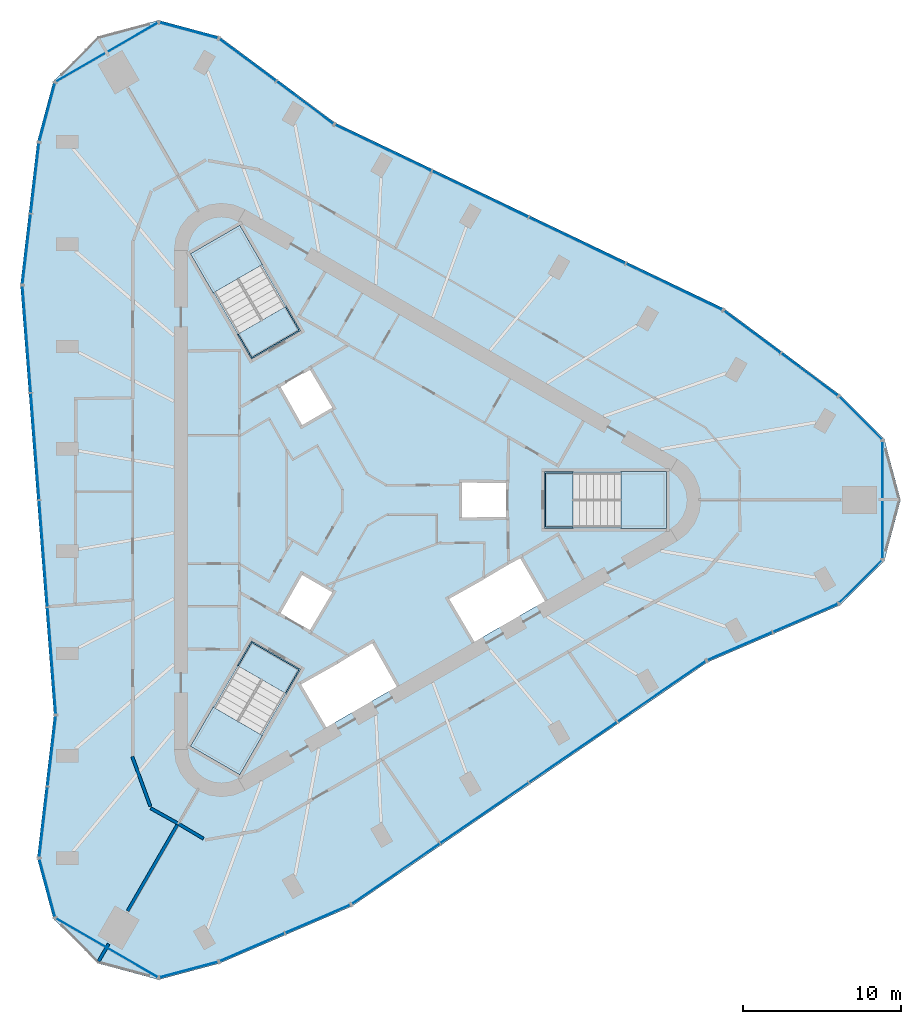
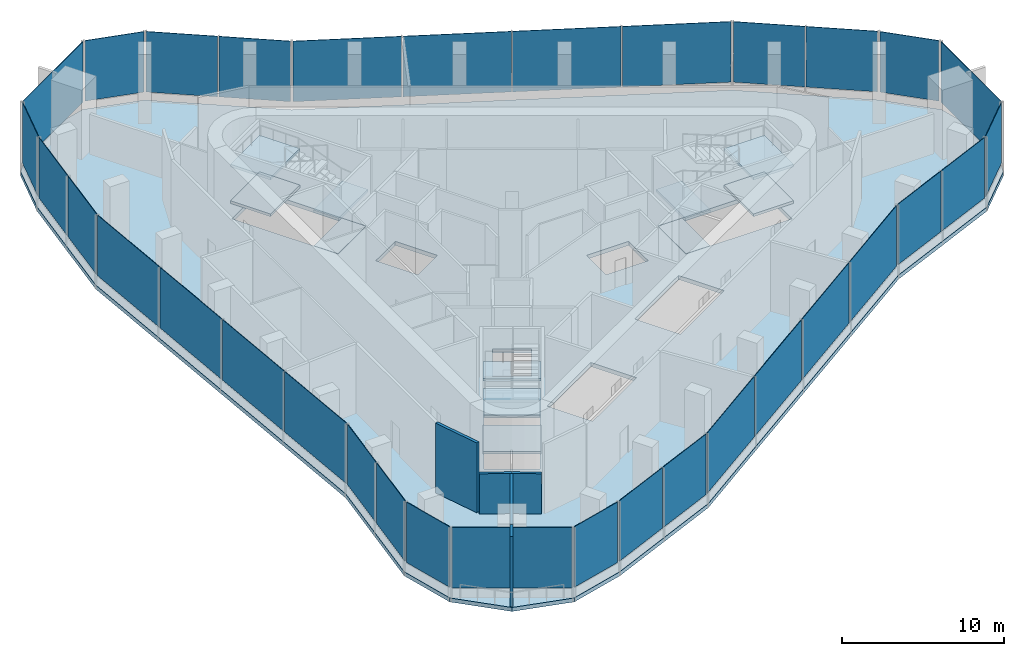
# One storey, part 6 of 13: 33 plates, 13 slabs, 5 walls, 21 elements without a shape of their own.
"""IFC4 building model written with IfcOpenShell, lengths in metres."""

import ifcopenshell
import ifcopenshell.guid

model = None  # the IFC model being written
_history = None  # IfcOwnerHistory: only IFC2X3 demands one
_inside = {}  # id of a spatial element -> (the spatial element, [elements in it])
_under = {}  # id of a project, library or spatial element -> (it, [spatial elements below it])
_declared = {}  # id of a project -> (the project, [libraries it declares])
_typed = {}  # id of a type object -> (the type object, [elements of that type])
_made_of = {}  # id of a material, layer set ... -> (it, [elements and type objects made of it])


def new_model(schema):
    """Start an empty IFC model of exactly this schema.

    Asked for "IFC4X3", IfcOpenShell would pick the latest addendum, in which some entities
    have other attributes; the version numbers below select the first issue.
    IFC2X3 requires an IfcOwnerHistory on every rooted entity: one is made here for all.
    """
    global model, _history
    if schema == "IFC4X3":
        model = ifcopenshell.file(schema_version=(4, 3, 0, 0))
    else:
        model = ifcopenshell.file(schema=schema)
    _inside.clear()
    _under.clear()
    _declared.clear()
    _typed.clear()
    _made_of.clear()
    _history = None
    if model.schema == "IFC2X3":
        org = make("IfcOrganization", Name="unknown")
        user = make(
            "IfcPersonAndOrganization",
            ThePerson=make("IfcPerson", FamilyName="unknown"),
            TheOrganization=org,
        )
        app = make(
            "IfcApplication",
            ApplicationDeveloper=org,
            Version="unknown",
            ApplicationFullName="unknown",
            ApplicationIdentifier="unknown",
        )
        _history = make(
            "IfcOwnerHistory",
            OwningUser=user,
            OwningApplication=app,
            ChangeAction="ADDED",
            CreationDate=0,
        )
    return model


def make(cls, **values):
    """One entity of the class cls with the attributes given. An attribute that is None is left unset."""
    return model.create_entity(
        cls, **{name: value for name, value in values.items() if value is not None}
    )


def rooted(cls, **values):
    """An entity with a GlobalId (a new one), such as an element, a storey or a relation."""
    return make(cls, GlobalId=ifcopenshell.guid.new(), OwnerHistory=_history, **values)


def si_unit(unit_type, name, prefix=None):
    """IfcSIUnit, for example si_unit("LENGTHUNIT", "METRE", prefix="MILLI")."""
    return make("IfcSIUnit", UnitType=unit_type, Prefix=prefix, Name=name)


def assignment(units):
    """IfcUnitAssignment: the units of a project."""
    return None if units is None else make("IfcUnitAssignment", Units=units)


def point(xyz):
    """IfcCartesianPoint."""
    return None if xyz is None else make("IfcCartesianPoint", Coordinates=xyz)


def direction(xyz):
    """IfcDirection."""
    return None if xyz is None else make("IfcDirection", DirectionRatios=xyz)


def frame(location, z_axis=None, x_axis=None):
    """IfcAxis2Placement3D, a coordinate frame: its origin and axes. An axis left out is left unset."""
    return make(
        "IfcAxis2Placement3D",
        Location=point(location),
        Axis=direction(z_axis),
        RefDirection=direction(x_axis),
    )


def frame_2d(location, x_axis=None):
    """IfcAxis2Placement2D, a coordinate frame in the plane: its origin and x axis."""
    return make(
        "IfcAxis2Placement2D", Location=point(location), RefDirection=direction(x_axis)
    )


def origin():
    """The frame at (0, 0, 0) with its axes left unset."""
    return frame((0.0, 0.0, 0.0))


def origin_2d():
    """The frame at (0, 0) in the plane with its x axis left unset."""
    return frame_2d((0.0, 0.0))


def place(relative_to, where):
    """IfcLocalPlacement: puts the frame where relative to a parent placement (None: the world)."""
    return make(
        "IfcLocalPlacement", PlacementRelTo=relative_to, RelativePlacement=where
    )


def context(
    kind, dimensions, precision=None, world=None, true_north=None, identifier=None
):
    """IfcGeometricRepresentationContext, for example the 3D "Model" context."""
    return make(
        "IfcGeometricRepresentationContext",
        ContextIdentifier=identifier,
        ContextType=kind,
        CoordinateSpaceDimension=dimensions,
        Precision=precision,
        WorldCoordinateSystem=world,
        TrueNorth=true_north,
    )


def subcontext(parent, identifier, kind, view, scale=None):
    """IfcGeometricRepresentationSubContext, for example "Body" below "Model"."""
    return make(
        "IfcGeometricRepresentationSubContext",
        ContextIdentifier=identifier,
        ContextType=kind,
        ParentContext=parent,
        TargetScale=scale,
        TargetView=view,
    )


def project(units=None, contexts=None):
    """IfcProject with its units and contexts."""
    return rooted(
        "IfcProject",
        Name="project",
        RepresentationContexts=contexts,
        UnitsInContext=assignment(units),
    )


def spatial(cls, under=None, at=None, **own):
    """A site, building, storey or space (cls), placed at a placement, below another one or the project."""
    s = rooted(cls, ObjectPlacement=at, **own)
    if under is not None:
        _under.setdefault(under.id(), (under, []))[1].append(s)
    return s


def polyline(points):
    """IfcPolyline through the points."""
    return make("IfcPolyline", Points=[point(p) for p in points])


def profile(cls, at=None, kind="AREA", **sizes):
    """A parametric profile (cls). Its sizes go by their IFC names, for example OverallWidth=200.0."""
    return make(cls, ProfileType=kind, Position=at, **sizes)


def rectangle(**sizes):
    """IfcRectangleProfileDef."""
    return profile("IfcRectangleProfileDef", **sizes)


def outline(outer, holes=None, kind="AREA"):
    """IfcArbitraryClosedProfileDef: a profile drawn as a closed curve; with holes, ...WithVoids."""
    if holes is None:
        return make("IfcArbitraryClosedProfileDef", ProfileType=kind, OuterCurve=outer)
    return make(
        "IfcArbitraryProfileDefWithVoids",
        ProfileType=kind,
        OuterCurve=outer,
        InnerCurves=holes,
    )


def extrude(swept, where, along, depth):
    """IfcExtrudedAreaSolid: the profile swept, set in the frame where, extruded along a direction by depth."""
    return make(
        "IfcExtrudedAreaSolid",
        SweptArea=swept,
        Position=where,
        ExtrudedDirection=direction(along),
        Depth=depth,
    )


def shape(context_of_items, identifier, shape_type, items):
    """IfcShapeRepresentation: the items that make up one representation, for example the "Body"."""
    return make(
        "IfcShapeRepresentation",
        ContextOfItems=context_of_items,
        RepresentationIdentifier=identifier,
        RepresentationType=shape_type,
        Items=items,
    )


def material(Name=None, Category=None):
    """IfcMaterial."""
    return make("IfcMaterial", Name=Name, Category=Category)


def layer(
    of_material, thickness, ventilated=None, Name=None, Category=None, Priority=None
):
    """IfcMaterialLayer: one layer of a wall or slab, of a material (None: an air gap)."""
    return make(
        "IfcMaterialLayer",
        Material=of_material,
        LayerThickness=thickness,
        IsVentilated=ventilated,
        Name=Name,
        Category=Category,
        Priority=Priority,
    )


def layer_set(layers, Name=None):
    """IfcMaterialLayerSet."""
    return make("IfcMaterialLayerSet", MaterialLayers=layers, LayerSetName=Name)


def made_of(thing, what):
    """Note that an element or type object is made of a material, layer set ...; save() writes the relation."""
    if what is not None:
        _made_of.setdefault(what.id(), (what, []))[1].append(thing)
    return thing


def type_object(cls, material=None, **own):
    """A type object (cls), such as IfcWallType, which elements share."""
    return made_of(rooted(cls, **own), material)


def element(
    cls,
    number,
    at=None,
    inside=None,
    cuts=None,
    type_object=None,
    material=None,
    context=None,
    identifier="Body",
    shape_type=None,
    held_by="IfcProductDefinitionShape",
    body=None,
    shapes=None,
    **own,
):
    """One element of the class cls, such as IfcWall. Its Tag is "e" and its number.

    at: its placement. inside: the storey or other place that contains it. cuts: it is an
    opening in that element (IfcRelVoidsElement). A single representation is given by context,
    identifier, shape_type and body (its items); several are given by shapes. held_by: the class
    of the entity that holds the representations. save() writes the other relations.
    """
    e = rooted(cls, Tag="e%d" % number, ObjectPlacement=at, **own)
    if body is not None:
        shapes = [shape(context, identifier, shape_type, body)]
    if shapes is not None:
        e.Representation = make(held_by, Representations=shapes)
    if inside is not None:
        _inside.setdefault(inside.id(), (inside, []))[1].append(e)
    if cuts is not None:
        rooted(
            "IfcRelVoidsElement", RelatingBuildingElement=cuts, RelatedOpeningElement=e
        )
    if type_object is not None:
        _typed.setdefault(type_object.id(), (type_object, []))[1].append(e)
    return made_of(e, material)


def aggregate(whole, parts):
    """IfcRelAggregates: a whole, such as a stair, and the parts it consists of."""
    return rooted("IfcRelAggregates", RelatingObject=whole, RelatedObjects=parts)


def save(model, path):
    """Write the relations noted so far, then the file.

    IfcRelAggregates (storeys below a building ...), IfcRelContainedInSpatialStructure (elements
    in a storey), IfcRelDefinesByType, IfcRelAssociatesMaterial and IfcRelDeclares: one each for
    every whole, place, type object, material and project.
    """
    for whole, parts in _under.values():
        aggregate(whole, parts)
    for where, things in _inside.values():
        rooted(
            "IfcRelContainedInSpatialStructure",
            RelatedElements=things,
            RelatingStructure=where,
        )
    for kind, things in _typed.values():
        rooted("IfcRelDefinesByType", RelatedObjects=things, RelatingType=kind)
    for what, things in _made_of.values():
        rooted("IfcRelAssociatesMaterial", RelatedObjects=things, RelatingMaterial=what)
    for by, libraries in _declared.values():
        rooted("IfcRelDeclares", RelatingContext=by, RelatedDefinitions=libraries)
    model.write(path)


model = new_model("IFC4")

# Units and contexts
model_context = context("Model", 3, precision=1e-05, world=origin(), true_north=direction((0.0, 1.0)))
body_context = subcontext(model_context, "Body", "Model", "MODEL_VIEW")
ifc_project = project(units=[si_unit("LENGTHUNIT", "METRE"), si_unit("AREAUNIT", "SQUARE_METRE"), si_unit("VOLUMEUNIT", "CUBIC_METRE"), si_unit("PLANEANGLEUNIT", "RADIAN"), si_unit("MASSUNIT", "GRAM", prefix="KILO")], contexts=[model_context])

# Site, building, storey
site_placement = place(None, origin())
site = spatial("IfcSite", under=ifc_project, at=site_placement, CompositionType="ELEMENT")
building_placement = place(site_placement, origin())
building = spatial("IfcBuilding", under=site, at=building_placement, Name="Tanit Gate Tower", CompositionType="ELEMENT")
storey_placement = place(building_placement, frame((0.0, 0.0, 404.800048828125)))
storey = spatial("IfcBuildingStorey", under=building, at=storey_placement, Name="L92", CompositionType="ELEMENT", Elevation=404.800048828125)

# Curtain wall, plates
ifc_material_1 = material(Name="Aluminium bronze anodised and glass", Category="aluminium")
curtain_wall_type = type_object("IfcCurtainWallType", Name="Curtain wall observation", PredefinedType="NOTDEFINED", material=ifc_material_1)
curtain_wall_1_placement = place(storey_placement, origin())
curtain_wall_1 = element("IfcCurtainWall", 1, at=curtain_wall_1_placement, inside=storey, type_object=curtain_wall_type, Name="Curtain wall L92 NE1", PredefinedType="NOTDEFINED")
ifc_material_2 = material(Name="Glass tinted laminated safety", Category="glass")
ifc_layer_1 = layer(ifc_material_2, 0.0400390625)
ifc_layer_set_1 = layer_set([ifc_layer_1], Name="Glass panel 40 observation")
plate_type = type_object("IfcPlateType", Name="Glass panel 40 observation", PredefinedType="CURTAIN_PANEL", material=ifc_layer_set_1)
plate_1_placement = place(storey_placement, frame((28.042236328125, 7.9228515625, 0.69970703125), z_axis=(0.0, 0.0, 1.0), x_axis=(-0.801987717098, 0.59734052401, 0.0)))
plate_1 = element("IfcPlate", 2, at=plate_1_placement, type_object=plate_type, Name="Glass panel L92 NE1.1", PredefinedType="CURTAIN_PANEL", context=body_context, shape_type="SweptSolid", body=[
    extrude(rectangle(XDim=4.42529296875, YDim=0.0400390625, at=origin_2d()), origin(), (0.0, 0.0, 1.0), 4.550048828125),
])
plate_2_placement = place(storey_placement, frame((24.428955078125, 10.614013671875, 0.69970703125), z_axis=(0.0, 0.0, 1.0), x_axis=(-0.801987717098, 0.59734052401, 0.0)))
plate_2 = element("IfcPlate", 3, at=plate_2_placement, type_object=plate_type, Name="Glass panel L92 NE1.2", PredefinedType="CURTAIN_PANEL", context=body_context, shape_type="SweptSolid", body=[
    extrude(rectangle(XDim=4.425537109375, YDim=0.0400390625, at=origin_2d()), origin(), (0.0, 0.0, 1.0), 4.550048828125),
])
aggregate(curtain_wall_1, [plate_1, plate_2])

curtain_wall_2_placement = place(storey_placement, origin())
curtain_wall_2 = element("IfcCurtainWall", 4, at=curtain_wall_2_placement, inside=storey, type_object=curtain_wall_type, Name="Curtain wall L92 NE2", PredefinedType="NOTDEFINED")
plate_3_placement = place(storey_placement, frame((19.49169921875, 13.4638671875, 0.69970703125), z_axis=(0.0, 0.0, 1.0), x_axis=(-0.902317145415, 0.431072811819, 0.0)))
plate_3 = element("IfcPlate", 5, at=plate_3_placement, type_object=plate_type, Name="Glass panel L92 NE2.1", PredefinedType="CURTAIN_PANEL", context=body_context, shape_type="SweptSolid", body=[
    extrude(rectangle(XDim=6.707763671875, YDim=0.0400390625, at=origin_2d()), origin(), (0.0, 0.0, 1.0), 4.550048828125),
])
plate_4_placement = place(storey_placement, frame((13.3671875, 16.389892578125, 0.69970703125), z_axis=(0.0, 0.0, 1.0), x_axis=(-0.902317145415, 0.431072811819, 0.0)))
plate_4 = element("IfcPlate", 6, at=plate_4_placement, type_object=plate_type, Name="Glass panel L92 NE2.2", PredefinedType="CURTAIN_PANEL", context=body_context, shape_type="SweptSolid", body=[
    extrude(rectangle(XDim=6.707763671875, YDim=0.0400390625, at=origin_2d()), origin(), (0.0, 0.0, 1.0), 4.550048828125),
])
plate_5_placement = place(storey_placement, frame((7.242431640625, 19.31591796875, 0.69970703125), z_axis=(0.0, 0.0, 1.0), x_axis=(-0.902317145415, 0.431072811819, 0.0)))
plate_5 = element("IfcPlate", 7, at=plate_5_placement, type_object=plate_type, Name="Glass panel L92 NE2.3", PredefinedType="CURTAIN_PANEL", context=body_context, shape_type="SweptSolid", body=[
    extrude(rectangle(XDim=6.707763671875, YDim=0.0400390625, at=origin_2d()), origin(), (0.0, 0.0, 1.0), 4.550048828125),
])
plate_6_placement = place(storey_placement, frame((1.11767578125, 22.241943359375, 0.69970703125), z_axis=(0.0, 0.0, 1.0), x_axis=(-0.902317145415, 0.431072811819, 0.0)))
plate_6 = element("IfcPlate", 8, at=plate_6_placement, type_object=plate_type, Name="Glass panel L92 NE2.4", PredefinedType="CURTAIN_PANEL", context=body_context, shape_type="SweptSolid", body=[
    extrude(rectangle(XDim=6.707763671875, YDim=0.0400390625, at=origin_2d()), origin(), (0.0, 0.0, 1.0), 4.550048828125),
])
aggregate(curtain_wall_2, [plate_3, plate_4, plate_5, plate_6])

curtain_wall_3_placement = place(storey_placement, origin())
curtain_wall_3 = element("IfcCurtainWall", 9, at=curtain_wall_3_placement, inside=storey, type_object=curtain_wall_type, Name="Curtain wall L92 NE3", PredefinedType="NOTDEFINED")
plate_7_placement = place(storey_placement, frame((-3.8212890625, 25.093017578125, 0.69970703125), z_axis=(0.0, 0.0, 1.0), x_axis=(-0.801987717098, 0.59734052401, 0.0)))
plate_7 = element("IfcPlate", 10, at=plate_7_placement, type_object=plate_type, Name="Glass panel L92 NE3.1", PredefinedType="CURTAIN_PANEL", context=body_context, shape_type="SweptSolid", body=[
    extrude(rectangle(XDim=4.429931640625, YDim=0.0400390625, at=origin_2d()), origin(), (0.0, 0.0, 1.0), 4.550048828125),
])
plate_8_placement = place(storey_placement, frame((-7.438232421875, 27.787109375, 0.69970703125), z_axis=(0.0, 0.0, 1.0), x_axis=(-0.801987717098, 0.59734052401, 0.0)))
plate_8 = element("IfcPlate", 11, at=plate_8_placement, type_object=plate_type, Name="Glass panel L92 NE3.2", PredefinedType="CURTAIN_PANEL", context=body_context, shape_type="SweptSolid", body=[
    extrude(rectangle(XDim=4.429931640625, YDim=0.0400390625, at=origin_2d()), origin(), (0.0, 0.0, 1.0), 4.550048828125),
])
aggregate(curtain_wall_3, [plate_7, plate_8])

# Curtain wall, plate
curtain_wall_4_placement = place(storey_placement, origin())
curtain_wall_4 = element("IfcCurtainWall", 12, at=curtain_wall_4_placement, inside=storey, type_object=curtain_wall_type, Name="Curtain wall L92 NW.arc1", PredefinedType="NOTDEFINED")
plate_9_placement = place(storey_placement, frame((-11.17041015625, 29.664794921875, 0.69970703125), z_axis=(0.0, 0.0, 1.0), x_axis=(-0.965925826289, 0.258819045103, 0.0)))
plate_9 = element("IfcPlate", 13, at=plate_9_placement, type_object=plate_type, Name="Glass panel L92 NW.arc1.1", PredefinedType="CURTAIN_PANEL", context=body_context, shape_type="SweptSolid", body=[
    extrude(rectangle(XDim=3.75634765625, YDim=0.0400390625, at=origin_2d()), origin(), (0.0, 0.0, 1.0), 4.550048828125),
])
aggregate(curtain_wall_4, [plate_9])

curtain_wall_5_placement = place(storey_placement, origin())
curtain_wall_5 = element("IfcCurtainWall", 14, at=curtain_wall_5_placement, inside=storey, type_object=curtain_wall_type, Name="Curtain wall L92 NW.arc2", PredefinedType="NOTDEFINED")
plate_10_placement = place(storey_placement, frame((-16.330078125, 28.28466796875, 0.69970703125), z_axis=(0.0, 0.0, 1.0), x_axis=(-0.866025403784, -0.5, 0.0)))
plate_10 = element("IfcPlate", 15, at=plate_10_placement, type_object=plate_type, Name="Glass panel L92 NW.arc2.1", PredefinedType="CURTAIN_PANEL", context=body_context, shape_type="SweptSolid", body=[
    extrude(rectangle(XDim=7.387939453125, YDim=0.0400390625, at=origin_2d()), origin(), (0.0, 0.0, 1.0), 4.550048828125),
])
aggregate(curtain_wall_5, [plate_10])

curtain_wall_6_placement = place(storey_placement, origin())
curtain_wall_6 = element("IfcCurtainWall", 16, at=curtain_wall_6_placement, inside=storey, type_object=curtain_wall_type, Name="Curtain wall L92 NW.arc3", PredefinedType="NOTDEFINED")
plate_11_placement = place(storey_placement, frame((-20.107177734375, 24.499267578125, 0.69970703125), z_axis=(0.0, 0.0, 1.0), x_axis=(-0.258819045103, -0.965925826289, 0.0)))
plate_11 = element("IfcPlate", 17, at=plate_11_placement, type_object=plate_type, Name="Glass panel L92 NW.arc3.1", PredefinedType="CURTAIN_PANEL", context=body_context, shape_type="SweptSolid", body=[
    extrude(rectangle(XDim=3.7705078125, YDim=0.0400390625, at=origin_2d()), origin(), (0.0, 0.0, 1.0), 4.550048828125),
])
aggregate(curtain_wall_6, [plate_11])

# Curtain wall, plates
curtain_wall_7_placement = place(storey_placement, origin())
curtain_wall_7 = element("IfcCurtainWall", 18, at=curtain_wall_7_placement, inside=storey, type_object=curtain_wall_type, Name="Curtain wall L92 W1", PredefinedType="NOTDEFINED")
plate_12_placement = place(storey_placement, frame((-20.882568359375, 20.323974609375, 0.69970703125), z_axis=(0.0, 0.0, 1.0), x_axis=(-0.116318209953, -0.993211998535, 0.0)))
plate_12 = element("IfcPlate", 19, at=plate_12_placement, type_object=plate_type, Name="Glass panel L92 W1.1", PredefinedType="CURTAIN_PANEL", context=body_context, shape_type="SweptSolid", body=[
    extrude(rectangle(XDim=4.42529296875, YDim=0.0400390625, at=origin_2d()), origin(), (0.0, 0.0, 1.0), 4.550048828125),
])
plate_13_placement = place(storey_placement, frame((-21.406494140625, 15.84912109375, 0.69970703125), z_axis=(0.0, 0.0, 1.0), x_axis=(-0.116318209953, -0.993211998535, 0.0)))
plate_13 = element("IfcPlate", 20, at=plate_13_placement, type_object=plate_type, Name="Glass panel L92 W1.2", PredefinedType="CURTAIN_PANEL", context=body_context, shape_type="SweptSolid", body=[
    extrude(rectangle(XDim=4.425537109375, YDim=0.0400390625, at=origin_2d()), origin(), (0.0, 0.0, 1.0), 4.550048828125),
])
aggregate(curtain_wall_7, [plate_12, plate_13])

curtain_wall_8_placement = place(storey_placement, origin())
curtain_wall_8 = element("IfcCurtainWall", 21, at=curtain_wall_8_placement, inside=storey, type_object=curtain_wall_type, Name="Curtain wall L92 W2", PredefinedType="NOTDEFINED")
plate_14_placement = place(storey_placement, frame((-21.406005859375, 10.1484375, 0.69970703125), z_axis=(0.0, 0.0, 1.0), x_axis=(0.077838566791, -0.996965976109, 0.0)))
plate_14 = element("IfcPlate", 22, at=plate_14_placement, type_object=plate_type, Name="Glass panel L92 W2.1", PredefinedType="CURTAIN_PANEL", context=body_context, shape_type="SweptSolid", body=[
    extrude(rectangle(XDim=6.707763671875, YDim=0.0400390625, at=origin_2d()), origin(), (0.0, 0.0, 1.0), 4.550048828125),
])
plate_15_placement = place(storey_placement, frame((-20.877685546875, 3.38134765625, 0.69970703125), z_axis=(0.0, 0.0, 1.0), x_axis=(0.077838566791, -0.996965976109, 0.0)))
plate_15 = element("IfcPlate", 23, at=plate_15_placement, type_object=plate_type, Name="Glass panel L92 W2.2", PredefinedType="CURTAIN_PANEL", context=body_context, shape_type="SweptSolid", body=[
    extrude(rectangle(XDim=6.707763671875, YDim=0.0400390625, at=origin_2d()), origin(), (0.0, 0.0, 1.0), 4.550048828125),
])
plate_16_placement = place(storey_placement, frame((-20.349365234375, -3.385986328125, 0.69970703125), z_axis=(0.0, 0.0, 1.0), x_axis=(0.077838566791, -0.996965976109, 0.0)))
plate_16 = element("IfcPlate", 24, at=plate_16_placement, type_object=plate_type, Name="Glass panel L92 W2.3", PredefinedType="CURTAIN_PANEL", context=body_context, shape_type="SweptSolid", body=[
    extrude(rectangle(XDim=6.707763671875, YDim=0.0400390625, at=origin_2d()), origin(), (0.0, 0.0, 1.0), 4.550048828125),
])
plate_17_placement = place(storey_placement, frame((-19.82080078125, -10.153076171875, 0.69970703125), z_axis=(0.0, 0.0, 1.0), x_axis=(0.077838566791, -0.996965976109, 0.0)))
plate_17 = element("IfcPlate", 25, at=plate_17_placement, type_object=plate_type, Name="Glass panel L92 W2.4", PredefinedType="CURTAIN_PANEL", context=body_context, shape_type="SweptSolid", body=[
    extrude(rectangle(XDim=6.707763671875, YDim=0.0400390625, at=origin_2d()), origin(), (0.0, 0.0, 1.0), 4.550048828125),
])
aggregate(curtain_wall_8, [plate_14, plate_15, plate_16, plate_17])

curtain_wall_9_placement = place(storey_placement, origin())
curtain_wall_9 = element("IfcCurtainWall", 26, at=curtain_wall_9_placement, inside=storey, type_object=curtain_wall_type, Name="Curtain wall L92 W3", PredefinedType="NOTDEFINED")
plate_18_placement = place(storey_placement, frame((-19.820556640625, -15.85595703125, 0.69970703125), z_axis=(0.0, 0.0, 1.0), x_axis=(-0.116318209953, -0.993211998535, 0.0)))
plate_18 = element("IfcPlate", 27, at=plate_18_placement, type_object=plate_type, Name="Glass panel L92 W3.1", PredefinedType="CURTAIN_PANEL", context=body_context, shape_type="SweptSolid", body=[
    extrude(rectangle(XDim=4.429931640625, YDim=0.0400390625, at=origin_2d()), origin(), (0.0, 0.0, 1.0), 4.550048828125),
])
plate_19_placement = place(storey_placement, frame((-20.34521484375, -20.335205078125, 0.69970703125), z_axis=(0.0, 0.0, 1.0), x_axis=(-0.116318209953, -0.993211998535, 0.0)))
plate_19 = element("IfcPlate", 28, at=plate_19_placement, type_object=plate_type, Name="Glass panel L92 W3.2", PredefinedType="CURTAIN_PANEL", context=body_context, shape_type="SweptSolid", body=[
    extrude(rectangle(XDim=4.429931640625, YDim=0.0400390625, at=origin_2d()), origin(), (0.0, 0.0, 1.0), 4.550048828125),
])
aggregate(curtain_wall_9, [plate_18, plate_19])

# Curtain wall, plate
curtain_wall_10_placement = place(storey_placement, origin())
curtain_wall_10 = element("IfcCurtainWall", 29, at=curtain_wall_10_placement, inside=storey, type_object=curtain_wall_type, Name="Curtain wall L92 SW.arc1", PredefinedType="NOTDEFINED")
plate_20_placement = place(storey_placement, frame((-20.105224609375, -24.506103515625, 0.69970703125), z_axis=(0.0, 0.0, 1.0), x_axis=(0.258819045103, -0.965925826289, 0.0)))
plate_20 = element("IfcPlate", 30, at=plate_20_placement, type_object=plate_type, Name="Glass panel L92 SW.arc1.1", PredefinedType="CURTAIN_PANEL", context=body_context, shape_type="SweptSolid", body=[
    extrude(rectangle(XDim=3.75634765625, YDim=0.0400390625, at=origin_2d()), origin(), (0.0, 0.0, 1.0), 4.550048828125),
])
aggregate(curtain_wall_10, [plate_20])

curtain_wall_11_placement = place(storey_placement, origin())
curtain_wall_11 = element("IfcCurtainWall", 31, at=curtain_wall_11_placement, inside=storey, type_object=curtain_wall_type, Name="Curtain wall L92 SW.arc2", PredefinedType="NOTDEFINED")
plate_21_placement = place(storey_placement, frame((-16.330078125, -28.28466796875, 0.69970703125), z_axis=(0.0, 0.0, 1.0), x_axis=(0.866025403784, -0.5, 0.0)))
plate_21 = element("IfcPlate", 32, at=plate_21_placement, type_object=plate_type, Name="Glass panel L92 SW.arc2.1", PredefinedType="CURTAIN_PANEL", context=body_context, shape_type="SweptSolid", body=[
    extrude(rectangle(XDim=7.387939453125, YDim=0.0400390625, at=origin_2d()), origin(), (0.0, 0.0, 1.0), 4.550048828125),
])
aggregate(curtain_wall_11, [plate_21])

curtain_wall_12_placement = place(storey_placement, origin())
curtain_wall_12 = element("IfcCurtainWall", 33, at=curtain_wall_12_placement, inside=storey, type_object=curtain_wall_type, Name="Curtain wall L92 SW.arc3", PredefinedType="NOTDEFINED")
plate_22_placement = place(storey_placement, frame((-11.16357421875, -29.6630859375, 0.69970703125), z_axis=(0.0, 0.0, 1.0), x_axis=(0.965925826289, 0.258819045103, 0.0)))
plate_22 = element("IfcPlate", 34, at=plate_22_placement, type_object=plate_type, Name="Glass panel L92 SW.arc3.1", PredefinedType="CURTAIN_PANEL", context=body_context, shape_type="SweptSolid", body=[
    extrude(rectangle(XDim=3.7705078125, YDim=0.0400390625, at=origin_2d()), origin(), (0.0, 0.0, 1.0), 4.550048828125),
])
aggregate(curtain_wall_12, [plate_22])

# Curtain wall, plates
curtain_wall_13_placement = place(storey_placement, origin())
curtain_wall_13 = element("IfcCurtainWall", 35, at=curtain_wall_13_placement, inside=storey, type_object=curtain_wall_type, Name="Curtain wall L92 SE1", PredefinedType="NOTDEFINED")
plate_23_placement = place(storey_placement, frame((-7.15966796875, -28.246826171875, 0.69970703125), z_axis=(0.0, 0.0, 1.0), x_axis=(0.918305927051, 0.395871474525, 0.0)))
plate_23 = element("IfcPlate", 36, at=plate_23_placement, type_object=plate_type, Name="Glass panel L92 SE1.1", PredefinedType="CURTAIN_PANEL", context=body_context, shape_type="SweptSolid", body=[
    extrude(rectangle(XDim=4.42529296875, YDim=0.0400390625, at=origin_2d()), origin(), (0.0, 0.0, 1.0), 4.550048828125),
])
plate_24_placement = place(storey_placement, frame((-3.0224609375, -26.463134765625, 0.69970703125), z_axis=(0.0, 0.0, 1.0), x_axis=(0.918305927051, 0.395871474525, 0.0)))
plate_24 = element("IfcPlate", 37, at=plate_24_placement, type_object=plate_type, Name="Glass panel L92 SE1.2", PredefinedType="CURTAIN_PANEL", context=body_context, shape_type="SweptSolid", body=[
    extrude(rectangle(XDim=4.425537109375, YDim=0.0400390625, at=origin_2d()), origin(), (0.0, 0.0, 1.0), 4.550048828125),
])
aggregate(curtain_wall_13, [plate_23, plate_24])

curtain_wall_14_placement = place(storey_placement, origin())
curtain_wall_14 = element("IfcCurtainWall", 38, at=curtain_wall_14_placement, inside=storey, type_object=curtain_wall_type, Name="Curtain wall L92 SE2", PredefinedType="NOTDEFINED")
plate_25_placement = place(storey_placement, frame((1.914306640625, -23.6123046875, 0.69970703125), z_axis=(0.0, 0.0, 1.0), x_axis=(0.824478578624, 0.56589316429, 0.0)))
plate_25 = element("IfcPlate", 39, at=plate_25_placement, type_object=plate_type, Name="Glass panel L92 SE2.1", PredefinedType="CURTAIN_PANEL", context=body_context, shape_type="SweptSolid", body=[
    extrude(rectangle(XDim=6.707763671875, YDim=0.0400390625, at=origin_2d()), origin(), (0.0, 0.0, 1.0), 4.550048828125),
])
plate_26_placement = place(storey_placement, frame((7.510498046875, -19.771240234375, 0.69970703125), z_axis=(0.0, 0.0, 1.0), x_axis=(0.824478578624, 0.56589316429, 0.0)))
plate_26 = element("IfcPlate", 40, at=plate_26_placement, type_object=plate_type, Name="Glass panel L92 SE2.2", PredefinedType="CURTAIN_PANEL", context=body_context, shape_type="SweptSolid", body=[
    extrude(rectangle(XDim=6.707763671875, YDim=0.0400390625, at=origin_2d()), origin(), (0.0, 0.0, 1.0), 4.550048828125),
])
plate_27_placement = place(storey_placement, frame((13.10693359375, -15.929931640625, 0.69970703125), z_axis=(0.0, 0.0, 1.0), x_axis=(0.824478578624, 0.56589316429, 0.0)))
plate_27 = element("IfcPlate", 41, at=plate_27_placement, type_object=plate_type, Name="Glass panel L92 SE2.3", PredefinedType="CURTAIN_PANEL", context=body_context, shape_type="SweptSolid", body=[
    extrude(rectangle(XDim=6.707763671875, YDim=0.0400390625, at=origin_2d()), origin(), (0.0, 0.0, 1.0), 4.550048828125),
])
plate_28_placement = place(storey_placement, frame((18.703369140625, -12.0888671875, 0.69970703125), z_axis=(0.0, 0.0, 1.0), x_axis=(0.824478578624, 0.56589316429, 0.0)))
plate_28 = element("IfcPlate", 42, at=plate_28_placement, type_object=plate_type, Name="Glass panel L92 SE2.4", PredefinedType="CURTAIN_PANEL", context=body_context, shape_type="SweptSolid", body=[
    extrude(rectangle(XDim=6.707763671875, YDim=0.0400390625, at=origin_2d()), origin(), (0.0, 0.0, 1.0), 4.550048828125),
])
aggregate(curtain_wall_14, [plate_25, plate_26, plate_27, plate_28])

curtain_wall_15_placement = place(storey_placement, origin())
curtain_wall_15 = element("IfcCurtainWall", 43, at=curtain_wall_15_placement, inside=storey, type_object=curtain_wall_type, Name="Curtain wall L92 SE3", PredefinedType="NOTDEFINED")
plate_29_placement = place(storey_placement, frame((23.641845703125, -9.237060546875, 0.69970703125), z_axis=(0.0, 0.0, 1.0), x_axis=(0.918305927051, 0.395871474525, 0.0)))
plate_29 = element("IfcPlate", 44, at=plate_29_placement, type_object=plate_type, Name="Glass panel L92 SE3.1", PredefinedType="CURTAIN_PANEL", context=body_context, shape_type="SweptSolid", body=[
    extrude(rectangle(XDim=4.429931640625, YDim=0.0400390625, at=origin_2d()), origin(), (0.0, 0.0, 1.0), 4.550048828125),
])
plate_30_placement = place(storey_placement, frame((27.783447265625, -7.45166015625, 0.69970703125), z_axis=(0.0, 0.0, 1.0), x_axis=(0.918305927051, 0.395871474525, 0.0)))
plate_30 = element("IfcPlate", 45, at=plate_30_placement, type_object=plate_type, Name="Glass panel L92 SE3.2", PredefinedType="CURTAIN_PANEL", context=body_context, shape_type="SweptSolid", body=[
    extrude(rectangle(XDim=4.429931640625, YDim=0.0400390625, at=origin_2d()), origin(), (0.0, 0.0, 1.0), 4.550048828125),
])
aggregate(curtain_wall_15, [plate_29, plate_30])

# Curtain wall, plate
curtain_wall_16_placement = place(storey_placement, origin())
curtain_wall_16 = element("IfcCurtainWall", 46, at=curtain_wall_16_placement, inside=storey, type_object=curtain_wall_type, Name="Curtain wall L92 E.arc1", PredefinedType="NOTDEFINED")
plate_31_placement = place(storey_placement, frame((31.275634765625, -5.15869140625, 0.69970703125), z_axis=(0.0, 0.0, 1.0), x_axis=(0.707106781187, 0.707106781187, 0.0)))
plate_31 = element("IfcPlate", 47, at=plate_31_placement, type_object=plate_type, Name="Glass panel L92 E.arc1.1", PredefinedType="CURTAIN_PANEL", context=body_context, shape_type="SweptSolid", body=[
    extrude(rectangle(XDim=3.75634765625, YDim=0.0400390625, at=origin_2d()), origin(), (0.0, 0.0, 1.0), 4.550048828125),
])
aggregate(curtain_wall_16, [plate_31])

curtain_wall_17_placement = place(storey_placement, origin())
curtain_wall_17 = element("IfcCurtainWall", 48, at=curtain_wall_17_placement, inside=storey, type_object=curtain_wall_type, Name="Curtain wall L92 E.arc2", PredefinedType="NOTDEFINED")
plate_32_placement = place(storey_placement, frame((32.66015625, 0.0, 0.69970703125), z_axis=(0.0, 0.0, 1.0), x_axis=(0.0, 1.0, 0.0)))
plate_32 = element("IfcPlate", 49, at=plate_32_placement, type_object=plate_type, Name="Glass panel L92 E.arc2.1", PredefinedType="CURTAIN_PANEL", context=body_context, shape_type="SweptSolid", body=[
    extrude(rectangle(XDim=7.387939453125, YDim=0.0400390625, at=origin_2d()), origin(), (0.0, 0.0, 1.0), 4.550048828125),
])
aggregate(curtain_wall_17, [plate_32])

curtain_wall_18_placement = place(storey_placement, origin())
curtain_wall_18 = element("IfcCurtainWall", 50, at=curtain_wall_18_placement, inside=storey, type_object=curtain_wall_type, Name="Curtain wall L92 E.arc3", PredefinedType="NOTDEFINED")
plate_33_placement = place(storey_placement, frame((31.270751953125, 5.16357421875, 0.69970703125), z_axis=(0.0, 0.0, 1.0), x_axis=(-0.707106781187, 0.707106781187, 0.0)))
plate_33 = element("IfcPlate", 51, at=plate_33_placement, type_object=plate_type, Name="Glass panel L92 E.arc3.1", PredefinedType="CURTAIN_PANEL", context=body_context, shape_type="SweptSolid", body=[
    extrude(rectangle(XDim=3.7705078125, YDim=0.0400390625, at=origin_2d()), origin(), (0.0, 0.0, 1.0), 4.550048828125),
])
aggregate(curtain_wall_18, [plate_33])

# Stair, slabs
ifc_material_3 = material(Name="Concrete C40/50", Category="concrete")
stair_type = type_object("IfcStairType", Name="INT-STAIR-EXIT", PredefinedType="HALF_TURN_STAIR", material=ifc_material_3)
stair_1_placement = place(storey_placement, origin())
stair_1 = element("IfcStair", 52, at=stair_1_placement, inside=storey, type_object=stair_type, Name="L92 STAIR S1", PredefinedType="HALF_TURN_STAIR")
ifc_material_4 = material(Name="Concrete C40/50", Category="concrete")
ifc_layer_2 = layer(ifc_material_4, 0.199951171875)
ifc_layer_set_2 = layer_set([ifc_layer_2], Name="INT-STAIR-LANDING")
slab_type_1 = type_object("IfcSlabType", Name="INT-STAIR-LANDING", PredefinedType="LANDING", material=ifc_layer_set_2)
slab_1_placement = place(storey_placement, frame((0.0, 0.0, 1.175048828125)))
slab_1 = element("IfcSlab", 53, at=slab_1_placement, type_object=slab_type_1, Name="S1 landing 1", PredefinedType="LANDING", context=body_context, shape_type="SweptSolid", body=[
    extrude(outline(polyline([(16.135986328125, -1.800048828125), (19.0, -1.800048828125), (19.0, 1.800048828125), (16.135986328125, 1.800048828125), (16.135986328125, -1.800048828125)])), origin(), (0.0, 0.0, 1.0), 0.199951171875),
])
slab_2_placement = place(storey_placement, frame((0.0, 0.0, 2.550048828125)))
slab_2 = element("IfcSlab", 54, at=slab_2_placement, type_object=slab_type_1, Name="S1 landing 2", PredefinedType="LANDING", context=body_context, shape_type="SweptSolid", body=[
    extrude(outline(polyline([(11.300048828125, -1.800048828125), (13.10498046875, -1.800048828125), (13.10498046875, 1.800048828125), (11.300048828125, 1.800048828125), (11.300048828125, -1.800048828125)])), origin(), (0.0, 0.0, 1.0), 0.199951171875),
])
slab_3_placement = place(storey_placement, frame((0.0, 0.0, 3.925048828125)))
slab_3 = element("IfcSlab", 55, at=slab_3_placement, type_object=slab_type_1, Name="S1 landing 3", PredefinedType="LANDING", context=body_context, shape_type="SweptSolid", body=[
    extrude(outline(polyline([(16.135986328125, -1.800048828125), (19.0, -1.800048828125), (19.0, 1.800048828125), (16.135986328125, 1.800048828125), (16.135986328125, -1.800048828125)])), origin(), (0.0, 0.0, 1.0), 0.199951171875),
])
aggregate(stair_1, [slab_1, slab_2, slab_3])

# Slab
slab_4_placement = place(storey_placement, frame((0.0, 0.0, -0.199951171875)))
element("IfcSlab", 56, at=slab_4_placement, inside=storey, type_object=slab_type_1, Name="S1 floor landing", PredefinedType="LANDING", context=body_context, shape_type="SweptSolid", body=[
    extrude(outline(polyline([(11.3798828125, -1.719970703125), (13.10498046875, -1.719970703125), (13.10498046875, 1.719970703125), (11.3798828125, 1.719970703125), (11.3798828125, -1.719970703125)])), origin(), (0.0, 0.0, 1.0), 0.199951171875),
])

# Stair, slabs
stair_2_placement = place(storey_placement, origin())
stair_2 = element("IfcStair", 57, at=stair_2_placement, inside=storey, type_object=stair_type, Name="L92 STAIR S2", PredefinedType="HALF_TURN_STAIR")
slab_5_placement = place(storey_placement, frame((0.0, 0.0, 1.175048828125)))
slab_5 = element("IfcSlab", 58, at=slab_5_placement, type_object=slab_type_1, Name="S2 landing 1", PredefinedType="LANDING", context=body_context, shape_type="SweptSolid", body=[
    extrude(outline(polyline([(-6.5078125, 14.871826171875), (-7.941162109375, 17.3544921875), (-11.058837890625, 15.554443359375), (-9.62548828125, 13.07177734375), (-6.5078125, 14.871826171875)])), origin(), (0.0, 0.0, 1.0), 0.199951171875),
])
slab_6_placement = place(storey_placement, frame((0.0, 0.0, 2.550048828125)))
slab_6 = element("IfcSlab", 59, at=slab_6_placement, type_object=slab_type_1, Name="S2 landing 2", PredefinedType="LANDING", context=body_context, shape_type="SweptSolid", body=[
    extrude(outline(polyline([(-4.091064453125, 10.68603515625), (-4.9931640625, 12.248291015625), (-8.11083984375, 10.448486328125), (-7.208740234375, 8.885986328125), (-4.091064453125, 10.68603515625)])), origin(), (0.0, 0.0, 1.0), 0.199951171875),
])
slab_7_placement = place(storey_placement, frame((0.0, 0.0, 3.925048828125)))
slab_7 = element("IfcSlab", 60, at=slab_7_placement, type_object=slab_type_1, Name="S2 landing 3", PredefinedType="LANDING", context=body_context, shape_type="SweptSolid", body=[
    extrude(outline(polyline([(-6.5078125, 14.871826171875), (-7.941162109375, 17.3544921875), (-11.058837890625, 15.554443359375), (-9.62548828125, 13.07177734375), (-6.5078125, 14.871826171875)])), origin(), (0.0, 0.0, 1.0), 0.199951171875),
])
aggregate(stair_2, [slab_5, slab_6, slab_7])

# Slab
slab_8_placement = place(storey_placement, frame((0.0, 0.0, -0.199951171875)))
element("IfcSlab", 61, at=slab_8_placement, inside=storey, type_object=slab_type_1, Name="S2 floor landing", PredefinedType="LANDING", context=body_context, shape_type="SweptSolid", body=[
    extrude(outline(polyline([(-4.200439453125, 10.71533203125), (-5.0625, 12.20849609375), (-8.04150390625, 10.48828125), (-7.179443359375, 8.995361328125), (-4.200439453125, 10.71533203125)])), origin(), (0.0, 0.0, 1.0), 0.199951171875),
])

# Stair, slabs
stair_3_placement = place(storey_placement, origin())
stair_3 = element("IfcStair", 62, at=stair_3_placement, inside=storey, type_object=stair_type, Name="L92 STAIR S3", PredefinedType="HALF_TURN_STAIR")
slab_9_placement = place(storey_placement, frame((0.0, 0.0, 1.175048828125)))
slab_9 = element("IfcSlab", 63, at=slab_9_placement, type_object=slab_type_1, Name="S3 landing 1", PredefinedType="LANDING", context=body_context, shape_type="SweptSolid", body=[
    extrude(outline(polyline([(-9.626953125, -13.07421875), (-11.058837890625, -15.554443359375), (-7.941162109375, -17.3544921875), (-6.509033203125, -14.874267578125), (-9.626953125, -13.07421875)])), origin(), (0.0, 0.0, 1.0), 0.199951171875),
])
slab_10_placement = place(storey_placement, frame((0.0, 0.0, 2.550048828125)))
slab_10 = element("IfcSlab", 64, at=slab_10_placement, type_object=slab_type_1, Name="S3 landing 2", PredefinedType="LANDING", context=body_context, shape_type="SweptSolid", body=[
    extrude(outline(polyline([(-7.208740234375, -8.885986328125), (-8.111328125, -10.44921875), (-4.99365234375, -12.249267578125), (-4.091064453125, -10.68603515625), (-7.208740234375, -8.885986328125)])), origin(), (0.0, 0.0, 1.0), 0.199951171875),
])
slab_11_placement = place(storey_placement, frame((0.0, 0.0, 3.925048828125)))
slab_11 = element("IfcSlab", 65, at=slab_11_placement, type_object=slab_type_1, Name="S3 landing 3", PredefinedType="LANDING", context=body_context, shape_type="SweptSolid", body=[
    extrude(outline(polyline([(-9.626953125, -13.07421875), (-11.058837890625, -15.554443359375), (-7.941162109375, -17.3544921875), (-6.509033203125, -14.874267578125), (-9.626953125, -13.07421875)])), origin(), (0.0, 0.0, 1.0), 0.199951171875),
])
aggregate(stair_3, [slab_9, slab_10, slab_11])

# Slabs
slab_12_placement = place(storey_placement, frame((0.0, 0.0, -0.199951171875)))
element("IfcSlab", 66, at=slab_12_placement, inside=storey, type_object=slab_type_1, Name="S3 floor landing", PredefinedType="LANDING", context=body_context, shape_type="SweptSolid", body=[
    extrude(outline(polyline([(-7.179443359375, -8.995361328125), (-8.0419921875, -10.4892578125), (-5.06298828125, -12.209228515625), (-4.200439453125, -10.71533203125), (-7.179443359375, -8.995361328125)])), origin(), (0.0, 0.0, 1.0), 0.199951171875),
])
ifc_material_5 = material(Name="Concrete C35/45", Category="concrete")
ifc_layer_3 = layer(ifc_material_5, 0.300048828125)
ifc_layer_set_3 = layer_set([ifc_layer_3], Name="OBSERVATION FLOOR SLAB 300 C35/45")
slab_type_2 = type_object("IfcSlabType", Name="OBSERVATION FLOOR SLAB 300 C35/45", PredefinedType="FLOOR", material=ifc_layer_set_3)
slab_13_placement = place(storey_placement, frame((0.0, 0.0, -0.300048828125)))
element("IfcSlab", 67, at=slab_13_placement, inside=storey, type_object=slab_type_2, Name="FLOOR SLAB L92", PredefinedType="FLOOR", context=body_context, shape_type="SweptSolid", body=[
    extrude(outline(polyline([(29.959716796875, 6.644287109375), (32.767822265625, 3.836181640625), (33.795654296875, 0.0), (32.767822265625, -3.836181640625), (29.959716796875, -6.644287109375), (21.5927734375, -10.251220703125), (-0.858642578125, -25.6611328125), (-9.2255859375, -29.26806640625), (-13.061767578125, -30.2958984375), (-16.89794921875, -29.26806640625), (-19.7060546875, -26.459716796875), (-20.73388671875, -22.62353515625), (-19.67431640625, -13.57421875), (-21.793701171875, 13.57421875), (-20.73388671875, 22.62353515625), (-19.7060546875, 26.459716796875), (-16.89794921875, 29.26806640625), (-13.061767578125, 30.2958984375), (-9.2255859375, 29.26806640625), (-1.91845703125, 23.825439453125), (22.652587890625, 12.0869140625), (29.959716796875, 6.644287109375)]), holes=[polyline([(11.3701171875, -1.72998046875), (11.3701171875, 1.72998046875), (18.929931640625, 1.72998046875), (18.929931640625, -1.72998046875), (11.3701171875, -1.72998046875)]), polyline([(5.14404296875, -6.2099609375), (9.82080078125, -3.510009765625), (11.44580078125, -6.324462890625), (6.76904296875, -9.0244140625), (5.14404296875, -6.2099609375)]), polyline([(6.0, -1.199951171875), (6.0, 1.199951171875), (9.0, 1.199951171875), (9.0, -1.199951171875), (6.0, -1.199951171875)]), polyline([(-4.208984375, -11.60986328125), (0.467529296875, -8.909912109375), (2.092529296875, -11.724609375), (-2.583984375, -14.424560546875), (-4.208984375, -11.60986328125)]), polyline([(-4.039306640625, 4.59619140625), (-5.539306640625, 7.194091796875), (-3.460693359375, 8.394287109375), (-1.960693359375, 5.796142578125), (-4.039306640625, 4.59619140625)]), polyline([(-1.960693359375, -5.796142578125), (-3.460693359375, -8.394287109375), (-5.539306640625, -7.194091796875), (-4.039306640625, -4.59619140625), (-1.960693359375, -5.796142578125)]), polyline([(-7.18310546875, 8.981689453125), (-10.963134765625, 15.52880859375), (-7.966796875, 17.2587890625), (-4.186767578125, 10.711669921875), (-7.18310546875, 8.981689453125)]), polyline([(-7.18310546875, -8.981689453125), (-4.186767578125, -10.711669921875), (-7.966796875, -17.2587890625), (-10.963134765625, -15.52880859375), (-7.18310546875, -8.981689453125)])]), origin(), (0.0, 0.0, 1.0), 0.300048828125),
])

# Walls
ifc_material_6 = material(Name="Fire-rated gypsum board partition")
ifc_layer_4 = layer(ifc_material_6, 0.199951171875)
ifc_layer_set_4 = layer_set([ifc_layer_4], Name="INT-WALL-COMPARTMENT")
wall_type = type_object("IfcWallType", Name="INT-WALL-COMPARTMENT", PredefinedType="PARTITIONING", material=ifc_layer_set_4)
wall_1_placement = place(storey_placement, frame((-13.572265625, -19.468994140625, 0.0), z_axis=(0.0, 0.0, 1.0), x_axis=(0.873512168958, -0.486802311707, 0.0)))
element("IfcWall", 68, at=wall_1_placement, inside=storey, type_object=wall_type, Name="Wall Compartment W096", PredefinedType="PARTITIONING", context=body_context, shape_type="SweptSolid", body=[
    extrude(rectangle(XDim=2.01953125, YDim=0.199951171875, at=frame_2d((1.009765625, 0.0))), origin(), (0.0, 0.0, 1.0), 3.02001953125),
])
wall_2_placement = place(storey_placement, frame((-14.734130859375, -16.20556640625, 0.0), z_axis=(0.0, 0.0, 1.0), x_axis=(0.342013079247, -0.93969519187, 0.0)))
element("IfcWall", 69, at=wall_2_placement, inside=storey, type_object=wall_type, Name="Wall Compartment W097", PredefinedType="PARTITIONING", context=body_context, shape_type="SweptSolid", body=[
    extrude(rectangle(XDim=3.33935546875, YDim=0.199951171875, at=frame_2d((1.669677734375, 0.0))), origin(), (0.0, 0.0, 1.0), 5.25),
])
wall_3_placement = place(storey_placement, frame((-11.84912109375, -20.463134765625, 0.0), z_axis=(0.0, 0.0, 1.0), x_axis=(-0.499993152284, -0.866029357279, 0.0)))
element("IfcWall", 70, at=wall_3_placement, inside=storey, type_object=wall_type, Name="Wall Compartment W110", PredefinedType="PARTITIONING", context=body_context, shape_type="SweptSolid", body=[
    extrude(rectangle(XDim=6.349609375, YDim=0.199951171875, at=frame_2d((3.1748046875, 0.0))), origin(), (0.0, 0.0, 1.0), 3.02001953125),
])
wall_4_placement = place(storey_placement, frame((-16.223876953125, -28.04052734375, 0.0), z_axis=(0.0, 0.0, 1.0), x_axis=(-0.499950289094, -0.866054102487, 0.0)))
element("IfcWall", 71, at=wall_4_placement, inside=storey, type_object=wall_type, Name="Wall Compartment W109", PredefinedType="PARTITIONING", context=body_context, shape_type="SweptSolid", body=[
    extrude(rectangle(XDim=1.267822265625, YDim=0.199951171875, at=frame_2d((0.6337890625, 0.0))), origin(), (0.0, 0.0, 1.0), 5.25),
])
wall_5_placement = place(storey_placement, frame((-11.80810546875, -20.4521484375, 0.0), z_axis=(0.0, 0.0, 1.0), x_axis=(0.858362923554, -0.51304297234, 0.0)))
element("IfcWall", 72, at=wall_5_placement, inside=storey, type_object=wall_type, Name="Wall Compartment W123", PredefinedType="PARTITIONING", context=body_context, shape_type="SweptSolid", body=[
    extrude(rectangle(XDim=1.82958984375, YDim=0.199951171875, at=frame_2d((0.914794921875, 0.0))), origin(), (0.0, 0.0, 1.0), 3.02001953125),
])

save(model, "model.ifc")
